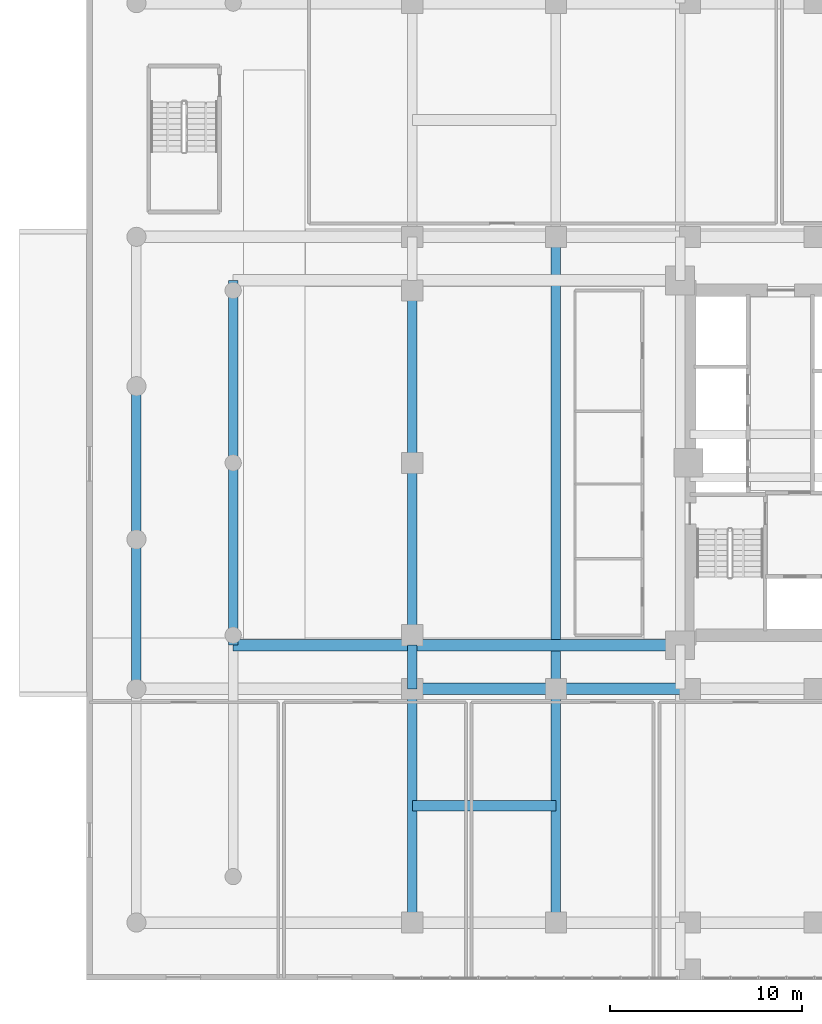
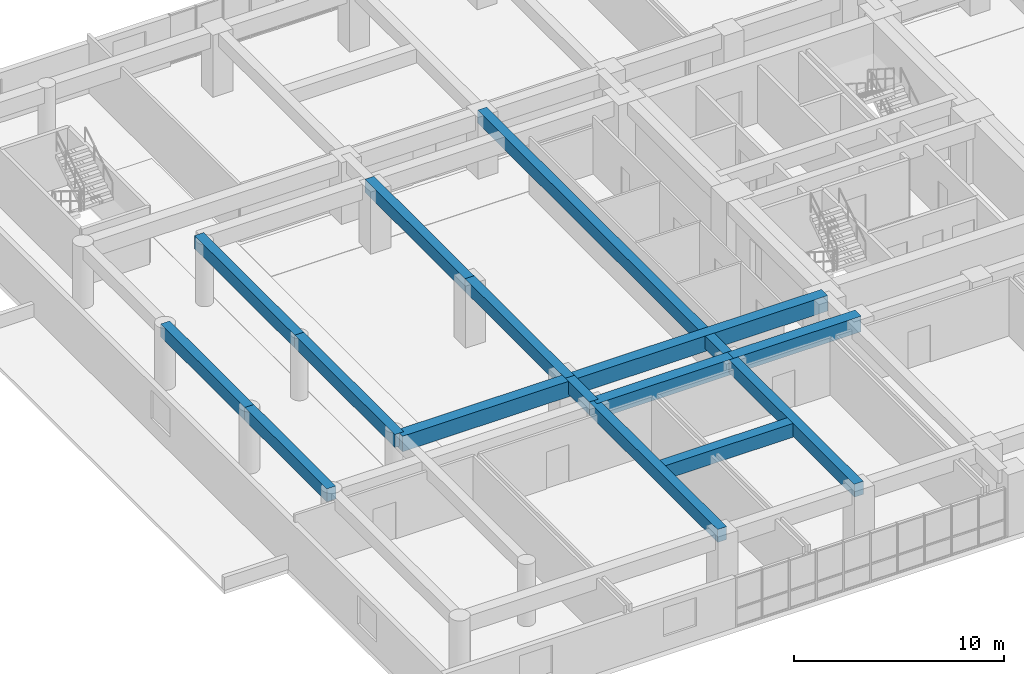
# One storey, part 3 of 27: 15 beams.
"""IFC4 building model written with IfcOpenShell, lengths in metres."""

from ifc_helpers import new_model, si_unit, direction, frame, origin, origin_2d, place, context, subcontext, project, spatial, rectangle, extrude, source, transform, mapped, material, material_profile, profile_set, type_object, element, save


model = new_model("IFC4")

# Units and contexts
model_context = context("Model", 3, precision=1e-05, world=origin(), true_north=direction((0.0, 1.0)))
body_context = subcontext(model_context, "Body", "Model", "MODEL_VIEW")
ifc_project = project(units=[si_unit("LENGTHUNIT", "METRE"), si_unit("AREAUNIT", "SQUARE_METRE"), si_unit("VOLUMEUNIT", "CUBIC_METRE"), si_unit("PLANEANGLEUNIT", "RADIAN"), si_unit("MASSUNIT", "GRAM", prefix="KILO")], contexts=[model_context])

# Site, building, storey
site_placement = place(None, origin())
site = spatial("IfcSite", under=ifc_project, at=site_placement, CompositionType="ELEMENT")
building_placement = place(site_placement, origin())
building = spatial("IfcBuilding", under=site, at=building_placement, Name="Saelheon Loggia Tower", CompositionType="ELEMENT")
storey_placement = place(building_placement, frame((0.0, 0.0, 4.199951171875)))
storey = spatial("IfcBuildingStorey", under=building, at=storey_placement, Name="L01", CompositionType="ELEMENT", Elevation=4.199951171875)

# Beams
ifc_material_1 = material(Name="Concrete C50/60", Category="concrete")
ifc_material_profile_1 = material_profile(ifc_material_1, rectangle(XDim=0.60009765625, YDim=0.89990234375, at=origin_2d()), Name="RC-600x900")
ifc_profile_set_1 = profile_set([ifc_material_profile_1], Name="Concrete C50/60")
beam_type_1 = type_object("IfcBeamType", Name="Beam_MainGirder_RC600x900", PredefinedType="BEAM", material=ifc_profile_set_1)
shared_shape_1 = source(origin(), body_context, "Body", "SweptSolid", [
    extrude(rectangle(XDim=0.60009765625, YDim=0.89990234375, at=origin_2d()), origin(), (0.0, 0.0, 1.0), 7.5),
])
beam_1_placement = place(storey_placement, frame((17.0, 15.199951171875, 3.150146484375), z_axis=(1.0, 0.0, 0.0), x_axis=(0.0, 1.0, 0.0)))
element("IfcBeam", 1, at=beam_1_placement, inside=storey, type_object=beam_type_1, Name="BM-L01-EW-15-2", PredefinedType="BEAM", context=body_context, shape_type="MappedRepresentation", body=[
    mapped(shared_shape_1, transform((0.0, 0.0, 0.0), scale=1.0)),
])
shared_shape_2 = source(origin(), body_context, "Body", "SweptSolid", [
    extrude(rectangle(XDim=0.60009765625, YDim=0.89990234375, at=origin_2d()), origin(), (0.0, 0.0, 1.0), 7.0),
])
beam_2_placement = place(storey_placement, frame((24.5, 15.199951171875, 3.150146484375), z_axis=(1.0, 0.0, 0.0), x_axis=(0.0, 1.0, 0.0)))
element("IfcBeam", 2, at=beam_2_placement, inside=storey, type_object=beam_type_1, Name="BM-L01-EW-15-3", PredefinedType="BEAM", context=body_context, shape_type="MappedRepresentation", body=[
    mapped(shared_shape_2, transform((0.0, 0.0, 0.0), scale=1.0)),
])
shared_shape_3 = source(origin(), body_context, "Body", "SweptSolid", [
    extrude(rectangle(XDim=0.60009765625, YDim=0.89990234375, at=origin_2d()), origin(), (0.0, 0.0, 1.0), 9.35009765625),
])
beam_3_placement = place(storey_placement, frame((7.64990234375, 17.47998046875, 3.150146484375), z_axis=(1.0, 0.0, 0.0), x_axis=(0.0, 1.0, 0.0)))
element("IfcBeam", 3, at=beam_3_placement, inside=storey, type_object=beam_type_1, Name="BM-L01-CT-17-W1", PredefinedType="BEAM", context=body_context, shape_type="MappedRepresentation", body=[
    mapped(shared_shape_3, transform((0.0, 0.0, 0.0), scale=1.0)),
])
shared_shape_4 = source(origin(), body_context, "Body", "SweptSolid", [
    extrude(rectangle(XDim=0.60009765625, YDim=0.89990234375, at=origin_2d()), origin(), (0.0, 0.0, 1.0), 13.97998046875),
])
beam_4_placement = place(storey_placement, frame((17.0, 17.47998046875, 3.150146484375), z_axis=(1.0, 0.0, 0.0), x_axis=(0.0, 1.0, 0.0)))
element("IfcBeam", 4, at=beam_4_placement, inside=storey, type_object=beam_type_1, Name="BM-L01-CT-17-W2", PredefinedType="BEAM", context=body_context, shape_type="MappedRepresentation", body=[
    mapped(shared_shape_4, transform((0.0, 0.0, 0.0), scale=1.0)),
])
ifc_material_2 = material(Name="Concrete C45/55", Category="concrete")
ifc_material_profile_2 = material_profile(ifc_material_2, rectangle(XDim=0.5, YDim=0.75, at=origin_2d()), Name="RC-500x750")
ifc_profile_set_2 = profile_set([ifc_material_profile_2], Name="Concrete C45/55")
beam_type_2 = type_object("IfcBeamType", Name="Beam_FloorGirder_RC500x750", PredefinedType="BEAM", material=ifc_profile_set_2)
shared_shape_5 = source(origin(), body_context, "Body", "SweptSolid", [
    extrude(rectangle(XDim=0.5, YDim=0.75, at=origin_2d()), origin(), (0.0, 0.0, 1.0), 12.199951171875),
])
for number, where, z_axis, x_axis, name in (
    (5, (17.0, 3.0, 3.22509765625), (0.0, 1.0, 0.0), (-1.0, 0.0, 0.0), "BM-L01-NS-17-1"),
    (6, (24.5, 3.0, 3.22509765625), (0.0, 1.0, 0.0), (-1.0, 0.0, 0.0), "BM-L01-NS-24-1"),
):
    element("IfcBeam", number, at=place(storey_placement, frame(where, z_axis=z_axis, x_axis=x_axis)), inside=storey, type_object=beam_type_2, Name=name, PredefinedType="BEAM", context=body_context, shape_type="MappedRepresentation", body=[
        mapped(shared_shape_5, transform((0.0, 0.0, 0.0), scale=1.0)),
    ])
ifc_material_profile_3 = material_profile(ifc_material_2, rectangle(XDim=0.5, YDim=0.75, at=origin_2d()), Name="RC-500x750")
ifc_profile_set_3 = profile_set([ifc_material_profile_3], Name="Concrete C45/55")
beam_type_3 = type_object("IfcBeamType", Name="Beam_PerimGirder_RC500x750", PredefinedType="BEAM", material=ifc_profile_set_3)
shared_shape_6 = source(origin(), body_context, "Body", "SweptSolid", [
    extrude(rectangle(XDim=0.5, YDim=0.75, at=origin_2d()), origin(), (0.0, 0.0, 1.0), 7.800048828125),
])
beam_5_placement = place(storey_placement, frame((2.60009765625, 15.199951171875, 3.22509765625), z_axis=(0.0, 1.0, 0.0), x_axis=(-1.0, 0.0, 0.0)))
element("IfcBeam", 7, at=beam_5_placement, inside=storey, type_object=beam_type_3, Name="BM-L01-NS-2-2", PredefinedType="BEAM", context=body_context, shape_type="MappedRepresentation", body=[
    mapped(shared_shape_6, transform((0.0, 0.0, 0.0), scale=1.0)),
])
shared_shape_7 = source(origin(), body_context, "Body", "SweptSolid", [
    extrude(rectangle(XDim=0.5, YDim=0.75, at=origin_2d()), origin(), (0.0, 0.0, 1.0), 8.0),
])
beam_6_placement = place(storey_placement, frame((2.60009765625, 23.0, 3.22509765625), z_axis=(0.0, 1.0, 0.0), x_axis=(-1.0, 0.0, 0.0)))
element("IfcBeam", 8, at=beam_6_placement, inside=storey, type_object=beam_type_3, Name="BM-L01-NS-2-3", PredefinedType="BEAM", context=body_context, shape_type="MappedRepresentation", body=[
    mapped(shared_shape_7, transform((0.0, 0.0, 0.0), scale=1.0)),
])
shared_shape_8 = source(origin(), body_context, "Body", "SweptSolid", [
    extrude(rectangle(XDim=0.5, YDim=0.75, at=origin_2d()), origin(), (0.0, 0.0, 1.0), 9.52001953125),
])
for number, where, z_axis, x_axis, name in (
    (9, (7.64990234375, 17.47998046875, 3.22509765625), (0.0, 1.0, 0.0), (-1.0, 0.0, 0.0), "BM-L01-NS-7-2"),
    (10, (7.64990234375, 27.0, 3.22509765625), (0.0, 1.0, 0.0), (-1.0, 0.0, 0.0), "BM-L01-NS-7-3"),
    (11, (17.0, 17.47998046875, 3.22509765625), (0.0, 1.0, 0.0), (-1.0, 0.0, 0.0), "BM-L01-NS-17-3"),
    (12, (17.0, 27.0, 3.22509765625), (0.0, 1.0, 0.0), (-1.0, 0.0, 0.0), "BM-L01-NS-17-4"),
):
    element("IfcBeam", number, at=place(storey_placement, frame(where, z_axis=z_axis, x_axis=x_axis)), inside=storey, type_object=beam_type_2, Name=name, PredefinedType="BEAM", context=body_context, shape_type="MappedRepresentation", body=[
        mapped(shared_shape_8, transform((0.0, 0.0, 0.0), scale=1.0)),
    ])
shared_shape_9 = source(origin(), body_context, "Body", "SweptSolid", [
    extrude(rectangle(XDim=0.5, YDim=0.75, at=origin_2d()), origin(), (0.0, 0.0, 1.0), 2.280029296875),
])
beam_7_placement = place(storey_placement, frame((17.0, 15.199951171875, 3.22509765625), z_axis=(0.0, 1.0, 0.0), x_axis=(-1.0, 0.0, 0.0)))
element("IfcBeam", 13, at=beam_7_placement, inside=storey, type_object=beam_type_2, Name="BM-L01-NS-17-2", PredefinedType="BEAM", context=body_context, shape_type="MappedRepresentation", body=[
    mapped(shared_shape_9, transform((0.0, 0.0, 0.0), scale=1.0)),
])
shared_shape_10 = source(origin(), body_context, "Body", "SweptSolid", [
    extrude(rectangle(XDim=0.5, YDim=0.75, at=origin_2d()), origin(), (0.0, 0.0, 1.0), 23.60009765625),
])
beam_8_placement = place(storey_placement, frame((24.5, 15.199951171875, 3.22509765625), z_axis=(0.0, 1.0, 0.0), x_axis=(-1.0, 0.0, 0.0)))
element("IfcBeam", 14, at=beam_8_placement, inside=storey, type_object=beam_type_2, Name="BM-L01-NS-24-2", PredefinedType="BEAM", context=body_context, shape_type="MappedRepresentation", body=[
    mapped(shared_shape_10, transform((0.0, 0.0, 0.0), scale=1.0)),
])
ifc_material_profile_4 = material_profile(ifc_material_2, rectangle(XDim=0.550048828125, YDim=0.800048828125, at=origin_2d()), Name="RC-550x800")
ifc_profile_set_4 = profile_set([ifc_material_profile_4], Name="Concrete C45/55")
beam_type_4 = type_object("IfcBeamType", Name="Beam_ClinicGirder_RC550x800", PredefinedType="BEAM", material=ifc_profile_set_4)
shared_shape_11 = source(origin(), body_context, "Body", "SweptSolid", [
    extrude(rectangle(XDim=0.550048828125, YDim=0.800048828125, at=origin_2d()), origin(), (0.0, 0.0, 1.0), 7.5),
])
beam_9_placement = place(storey_placement, frame((17.0, 9.10009765625, 3.199951171875), z_axis=(1.0, 0.0, 0.0), x_axis=(0.0, 1.0, 0.0)))
element("IfcBeam", 15, at=beam_9_placement, inside=storey, type_object=beam_type_4, Name="JST-L01-CL-SW", PredefinedType="BEAM", context=body_context, shape_type="MappedRepresentation", body=[
    mapped(shared_shape_11, transform((0.0, 0.0, 0.0), scale=1.0)),
])

save(model, "model.ifc")
